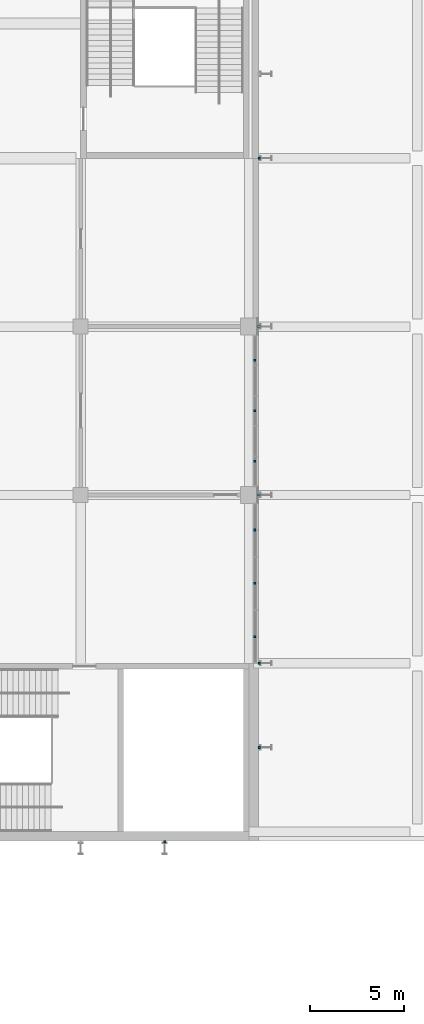
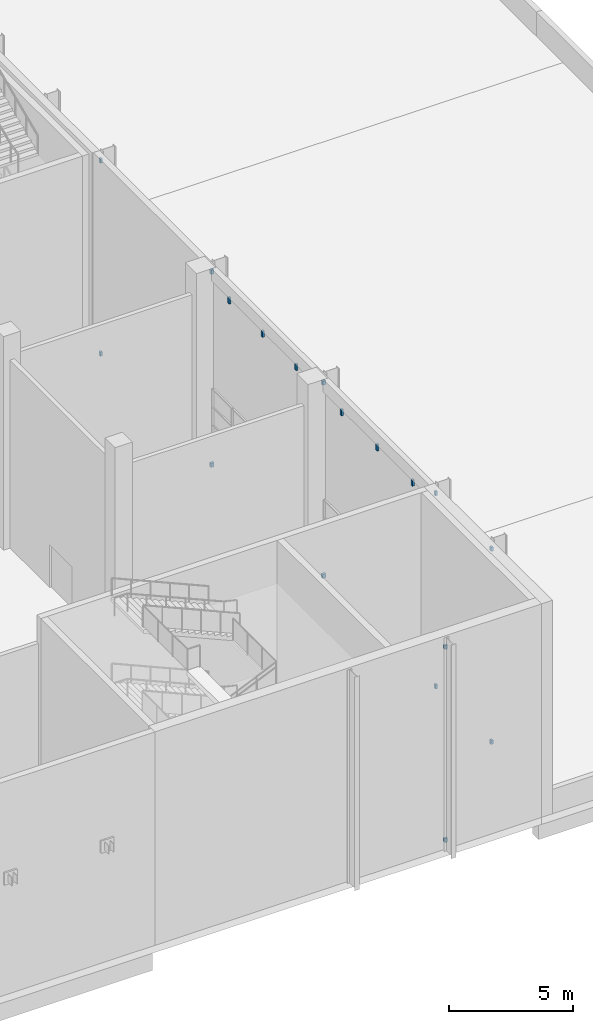
# One storey, part 120 of 182: 18 discrete accessories.
"""IFC4 building model written with IfcOpenShell, lengths in metres."""

from ifc_helpers import new_model, si_unit, direction, frame, origin, origin_2d, place, context, subcontext, project, spatial, rectangle, extrude, material, type_object, element, save


model = new_model("IFC4")

# Units and contexts
model_context = context("Model", 3, precision=1e-05, world=origin(), true_north=direction((0.0, 1.0)))
body_context = subcontext(model_context, "Body", "Model", "MODEL_VIEW")
ifc_project = project(units=[si_unit("LENGTHUNIT", "METRE"), si_unit("AREAUNIT", "SQUARE_METRE"), si_unit("VOLUMEUNIT", "CUBIC_METRE"), si_unit("PLANEANGLEUNIT", "RADIAN"), si_unit("MASSUNIT", "GRAM", prefix="KILO")], contexts=[model_context])

# Site, building, storey
site_placement = place(None, origin())
site = spatial("IfcSite", under=ifc_project, at=site_placement, CompositionType="ELEMENT")
building_placement = place(site_placement, origin())
building = spatial("IfcBuilding", under=site, at=building_placement, Name="Silverbay Arena", CompositionType="ELEMENT")
storey_placement = place(building_placement, frame((0.0, 0.0, 11.5)))
storey = spatial("IfcBuildingStorey", under=building, at=storey_placement, Name="L02", CompositionType="ELEMENT", Elevation=11.5)

# Discrete accessories
ifc_material = material(Name="Steel S355", Category="steel")
discrete_accessory_type = type_object("IfcDiscreteAccessoryType", Name="Steel bracket plate", PredefinedType="BRACKET", material=ifc_material)
for number, where, z_axis, x_axis, name in (
    (1, (207.300048828125, 28.425048828125, 9.60009765625), (0.0, 0.0, 1.0), (1.0, 0.0, 0.0), "Cladding hanger bracket"),
    (2, (207.300048828125, 31.27490234375, 9.60009765625), (0.0, 0.0, 1.0), (1.0, 0.0, 0.0), "Cladding hanger bracket"),
    (3, (207.300048828125, 34.125, 9.60009765625), (0.0, 0.0, 1.0), (1.0, 0.0, 0.0), "Cladding hanger bracket"),
    (4, (207.300048828125, 37.800048828125, 9.60009765625), (0.0, 0.0, 1.0), (1.0, 0.0, 0.0), "Cladding hanger bracket"),
    (5, (207.300048828125, 40.5, 9.60009765625), (0.0, 0.0, 1.0), (1.0, 0.0, 0.0), "Cladding hanger bracket"),
    (6, (207.300048828125, 43.199951171875, 9.60009765625), (0.0, 0.0, 1.0), (1.0, 0.0, 0.0), "Cladding hanger bracket"),
):
    element("IfcDiscreteAccessory", number, at=place(storey_placement, frame(where, z_axis=z_axis, x_axis=x_axis)), inside=storey, type_object=discrete_accessory_type, Name=name, PredefinedType="BRACKET", context=body_context, shape_type="SweptSolid", body=[
        extrude(rectangle(XDim=0.10009765625, YDim=0.1201171875, at=origin_2d()), origin(), (0.0, 0.0, 1.0), 0.300048828125),
    ])
for number, where, z_axis, x_axis, name in (
    (7, (202.5, 17.449951171875, 0.39990234375), (0.0, 0.0, 1.0), (1.0, 0.0, 0.0), "Fin bracket"),
    (8, (202.5, 17.449951171875, 9.89990234375), (0.0, 0.0, 1.0), (1.0, 0.0, 0.0), "Fin bracket"),
):
    element("IfcDiscreteAccessory", number, at=place(storey_placement, frame(where, z_axis=z_axis, x_axis=x_axis)), inside=storey, type_object=discrete_accessory_type, Name=name, PredefinedType="BRACKET", context=body_context, shape_type="SweptSolid", body=[
        extrude(rectangle(XDim=0.1201171875, YDim=0.10009765625, at=origin_2d()), origin(), (0.0, 0.0, 1.0), 0.199951171875),
    ])
for number, where, z_axis, x_axis, name in (
    (9, (207.550048828125, 22.5, 0.39990234375), (0.0, 0.0, 1.0), (1.0, 0.0, 0.0), "Fin bracket"),
    (10, (207.550048828125, 22.5, 9.89990234375), (0.0, 0.0, 1.0), (1.0, 0.0, 0.0), "Fin bracket"),
    (11, (207.550048828125, 27.0, 0.39990234375), (0.0, 0.0, 1.0), (1.0, 0.0, 0.0), "Fin bracket"),
    (12, (207.550048828125, 27.0, 9.89990234375), (0.0, 0.0, 1.0), (1.0, 0.0, 0.0), "Fin bracket"),
):
    element("IfcDiscreteAccessory", number, at=place(storey_placement, frame(where, z_axis=z_axis, x_axis=x_axis)), inside=storey, type_object=discrete_accessory_type, Name=name, PredefinedType="BRACKET", context=body_context, shape_type="SweptSolid", body=[
        extrude(rectangle(XDim=0.10009765625, YDim=0.1201171875, at=origin_2d()), origin(), (0.0, 0.0, 1.0), 0.199951171875),
    ])
for number, where, z_axis, x_axis, name in (
    (13, (207.52490234375, 36.0, 0.39990234375), (0.0, 0.0, 1.0), (1.0, 0.0, 0.0), "Fin bracket"),
    (14, (207.52490234375, 36.0, 9.89990234375), (0.0, 0.0, 1.0), (1.0, 0.0, 0.0), "Fin bracket"),
    (15, (207.52490234375, 45.0, 0.39990234375), (0.0, 0.0, 1.0), (1.0, 0.0, 0.0), "Fin bracket"),
    (16, (207.52490234375, 45.0, 9.89990234375), (0.0, 0.0, 1.0), (1.0, 0.0, 0.0), "Fin bracket"),
):
    element("IfcDiscreteAccessory", number, at=place(storey_placement, frame(where, z_axis=z_axis, x_axis=x_axis)), inside=storey, type_object=discrete_accessory_type, Name=name, PredefinedType="BRACKET", context=body_context, shape_type="SweptSolid", body=[
        extrude(rectangle(XDim=0.14990234375, YDim=0.1201171875, at=origin_2d()), origin(), (0.0, 0.0, 1.0), 0.199951171875),
    ])
for number, where, z_axis, x_axis, name in (
    (17, (207.550048828125, 54.0, 0.39990234375), (0.0, 0.0, 1.0), (1.0, 0.0, 0.0), "Fin bracket"),
    (18, (207.550048828125, 54.0, 9.89990234375), (0.0, 0.0, 1.0), (1.0, 0.0, 0.0), "Fin bracket"),
):
    element("IfcDiscreteAccessory", number, at=place(storey_placement, frame(where, z_axis=z_axis, x_axis=x_axis)), inside=storey, type_object=discrete_accessory_type, Name=name, PredefinedType="BRACKET", context=body_context, shape_type="SweptSolid", body=[
        extrude(rectangle(XDim=0.10009765625, YDim=0.1201171875, at=origin_2d()), origin(), (0.0, 0.0, 1.0), 0.199951171875),
    ])

save(model, "model.ifc")
